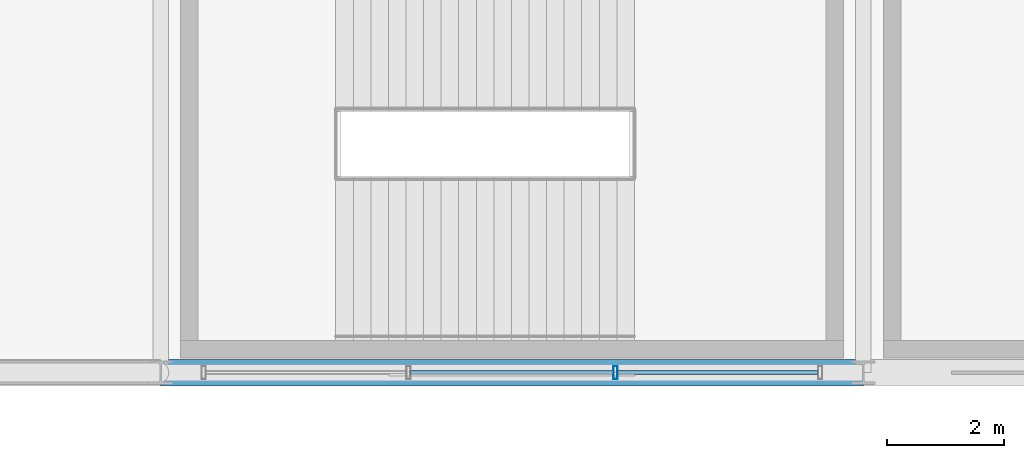
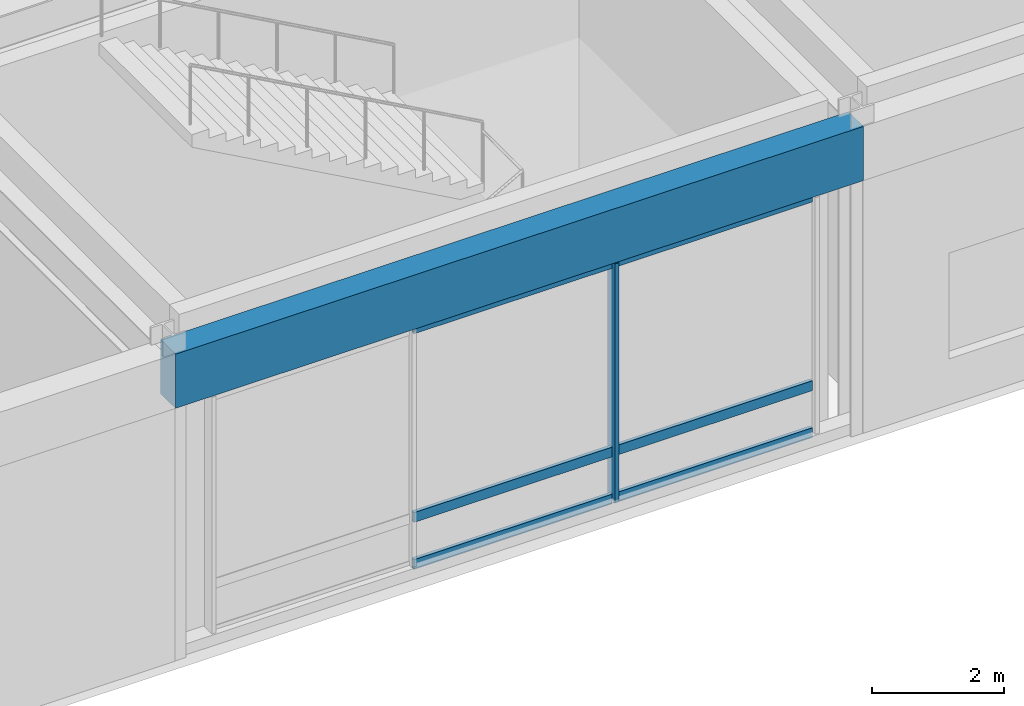
# One storey, part 25 of 105: 7 members, 1 beam, 1 element without a shape of its own.
"""IFC4 building model written with IfcOpenShell, lengths in metres."""

from ifc_helpers import new_model, si_unit, direction, frame, origin, origin_2d, place, context, subcontext, project, spatial, rectangle, hollow_rectangle, extrude, material, material_profile, profile_set, type_object, element, aggregate, save


model = new_model("IFC4")

# Units and contexts
model_context = context("Model", 3, precision=1e-05, world=origin(), true_north=direction((0.0, 1.0)))
body_context = subcontext(model_context, "Body", "Model", "MODEL_VIEW")
ifc_project = project(units=[si_unit("LENGTHUNIT", "METRE"), si_unit("AREAUNIT", "SQUARE_METRE"), si_unit("VOLUMEUNIT", "CUBIC_METRE"), si_unit("PLANEANGLEUNIT", "RADIAN"), si_unit("MASSUNIT", "GRAM", prefix="KILO")], contexts=[model_context])

# Site, building, storey
site_placement = place(None, origin())
site = spatial("IfcSite", under=ifc_project, at=site_placement, CompositionType="ELEMENT")
building_placement = place(site_placement, origin())
building = spatial("IfcBuilding", under=site, at=building_placement, Name="Kaldorvane Square Convention Centre", CompositionType="ELEMENT")
storey_placement = place(building_placement, frame((0.0, 0.0, 6.0)))
storey = spatial("IfcBuildingStorey", under=building, at=storey_placement, Name="L01", CompositionType="ELEMENT", Elevation=6.0)

# Beam
ifc_material_1 = material(Name="Concrete f'c = 42 MPa (Normalweight)", Category="concrete")
ifc_material_profile_1 = material_profile(ifc_material_1, rectangle(XDim=0.4499969482421875, YDim=1.0, at=origin_2d()), Name="RCSP1000X450")
ifc_profile_set_1 = profile_set([ifc_material_profile_1], Name="Concrete f'c = 42 MPa (Normalweight)")
beam_type = type_object("IfcBeamType", Name="BM-SP-RC1000", PredefinedType="SPANDREL", material=ifc_profile_set_1)
beam_placement = place(storey_placement, frame((102.0, 0.0, 5.175994873046875), z_axis=(1.0, 0.0, 0.0), x_axis=(0.0, 1.0, 0.0)))
element("IfcBeam", 1, at=beam_placement, inside=storey, type_object=beam_type, Name="Perimeter Spandrel (L01)", PredefinedType="SPANDREL", context=body_context, shape_type="SweptSolid", body=[
    extrude(rectangle(XDim=0.4499969482421875, YDim=1.0, at=origin_2d()), origin(), (0.0, 0.0, 1.0), 12.0),
])

# Curtain wall, members
ifc_material_2 = material(Name="Anodized Aluminum and Low-E Insulated Glazing", Category="aluminium")
curtain_wall_type = type_object("IfcCurtainWallType", Name="CW-UNI-P60-12", PredefinedType="USERDEFINED", material=ifc_material_2)
curtain_wall_placement = place(storey_placement, origin())
curtain_wall = element("IfcCurtainWall", 2, at=curtain_wall_placement, inside=storey, type_object=curtain_wall_type, Name="Curtain Wall CW-01 (L01)", ObjectType="UNITISED GLAZING", PredefinedType="USERDEFINED")
ifc_material_profile_2 = material_profile(ifc_material_2, hollow_rectangle(XDim=0.0749969482421875, YDim=0.220001220703125, WallThickness=0.003997802734375, at=origin_2d()), Name="CWM-220X75")
ifc_profile_set_2 = profile_set([ifc_material_profile_2], Name="Anodized Aluminum and Low-E Insulated Glazing")
member_type_1 = type_object("IfcMemberType", Name="CW-MUL-220", PredefinedType="MULLION", material=ifc_profile_set_2)
member_1_placement = place(storey_placement, frame((109.76666259765625, 0.0, 0.149993896484375), z_axis=(0.0, 0.0, 1.0), x_axis=(1.0, 0.0, 0.0)))
member_1 = element("IfcMember", 3, at=member_1_placement, type_object=member_type_1, Name="CW-01 mullion 3", PredefinedType="MULLION", context=body_context, shape_type="SweptSolid", body=[
    extrude(hollow_rectangle(XDim=0.0749969482421875, YDim=0.220001220703125, WallThickness=0.003997802734375, at=origin_2d()), origin(), (0.0, 0.0, 1.0), 4.410003662109375),
])
ifc_material_profile_3 = material_profile(ifc_material_2, hollow_rectangle(XDim=0.06500244140625, YDim=0.17999267578125, WallThickness=0.0034942626953125, at=origin_2d()), Name="CWT-180X65")
ifc_profile_set_3 = profile_set([ifc_material_profile_3], Name="Anodized Aluminum and Low-E Insulated Glazing")
member_type_2 = type_object("IfcMemberType", Name="CW-TRN-180", PredefinedType="USERDEFINED", material=ifc_profile_set_3)
member_2_placement = place(storey_placement, frame((106.27082824707031, 0.0, 0.1824951171875), z_axis=(1.0, 0.0, 0.0), x_axis=(0.0, 1.0, 0.0)))
member_2 = element("IfcMember", 4, at=member_2_placement, type_object=member_type_2, Name="CW-01 transom 2.1", ObjectType="TRANSOM", PredefinedType="USERDEFINED", context=body_context, shape_type="SweptSolid", body=[
    extrude(hollow_rectangle(XDim=0.06500244140625, YDim=0.17999267578125, WallThickness=0.0034942626953125, at=origin_2d()), origin(), (0.0, 0.0, 1.0), 3.458343505859375),
])
member_3_placement = place(storey_placement, frame((106.27082824707031, 0.0, 1.0500030517578125), z_axis=(1.0, 0.0, 0.0), x_axis=(0.0, 1.0, 0.0)))
member_3 = element("IfcMember", 5, at=member_3_placement, type_object=member_type_2, Name="CW-01 transom 2.2", ObjectType="TRANSOM", PredefinedType="USERDEFINED", context=body_context, shape_type="SweptSolid", body=[
    extrude(hollow_rectangle(XDim=0.06500244140625, YDim=0.17999267578125, WallThickness=0.0034942626953125, at=origin_2d()), origin(), (0.0, 0.0, 1.0), 3.458343505859375),
])
member_4_placement = place(storey_placement, frame((106.27082824707031, 0.0, 4.527496337890625), z_axis=(1.0, 0.0, 0.0), x_axis=(0.0, 1.0, 0.0)))
member_4 = element("IfcMember", 6, at=member_4_placement, type_object=member_type_2, Name="CW-01 transom 2.3", ObjectType="TRANSOM", PredefinedType="USERDEFINED", context=body_context, shape_type="SweptSolid", body=[
    extrude(hollow_rectangle(XDim=0.06500244140625, YDim=0.17999267578125, WallThickness=0.0034942626953125, at=origin_2d()), origin(), (0.0, 0.0, 1.0), 3.458343505859375),
])
member_5_placement = place(storey_placement, frame((109.80416870117188, 0.0, 0.1824951171875), z_axis=(1.0, 0.0, 0.0), x_axis=(0.0, 1.0, 0.0)))
member_5 = element("IfcMember", 7, at=member_5_placement, type_object=member_type_2, Name="CW-01 transom 3.1", ObjectType="TRANSOM", PredefinedType="USERDEFINED", context=body_context, shape_type="SweptSolid", body=[
    extrude(hollow_rectangle(XDim=0.06500244140625, YDim=0.17999267578125, WallThickness=0.0034942626953125, at=origin_2d()), origin(), (0.0, 0.0, 1.0), 3.42083740234375),
])
member_6_placement = place(storey_placement, frame((109.80416870117188, 0.0, 1.0500030517578125), z_axis=(1.0, 0.0, 0.0), x_axis=(0.0, 1.0, 0.0)))
member_6 = element("IfcMember", 8, at=member_6_placement, type_object=member_type_2, Name="CW-01 transom 3.2", ObjectType="TRANSOM", PredefinedType="USERDEFINED", context=body_context, shape_type="SweptSolid", body=[
    extrude(hollow_rectangle(XDim=0.06500244140625, YDim=0.17999267578125, WallThickness=0.0034942626953125, at=origin_2d()), origin(), (0.0, 0.0, 1.0), 3.42083740234375),
])
member_7_placement = place(storey_placement, frame((109.80416870117188, 0.0, 4.527496337890625), z_axis=(1.0, 0.0, 0.0), x_axis=(0.0, 1.0, 0.0)))
member_7 = element("IfcMember", 9, at=member_7_placement, type_object=member_type_2, Name="CW-01 transom 3.3", ObjectType="TRANSOM", PredefinedType="USERDEFINED", context=body_context, shape_type="SweptSolid", body=[
    extrude(hollow_rectangle(XDim=0.06500244140625, YDim=0.17999267578125, WallThickness=0.0034942626953125, at=origin_2d()), origin(), (0.0, 0.0, 1.0), 3.42083740234375),
])
aggregate(curtain_wall, [member_1, member_2, member_3, member_4, member_5, member_6, member_7])

save(model, "model.ifc")
